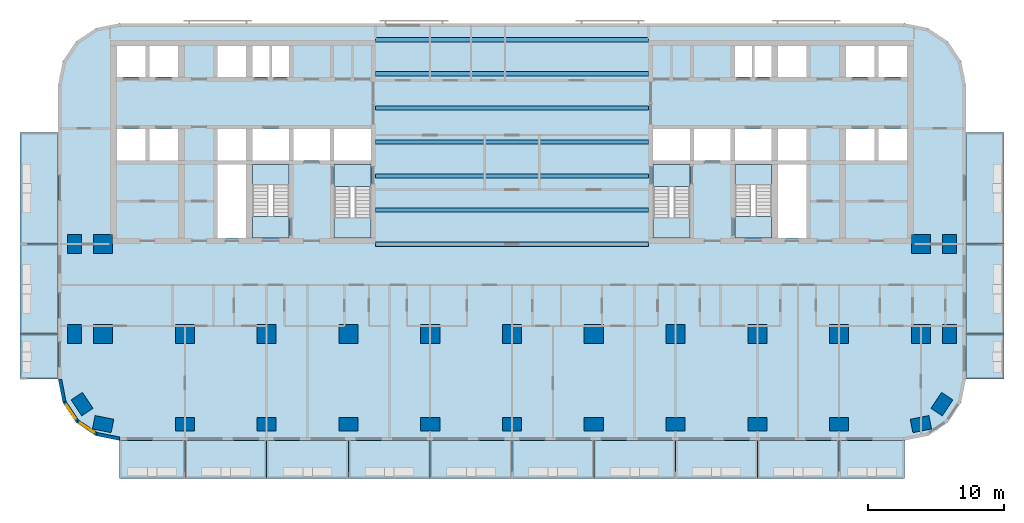
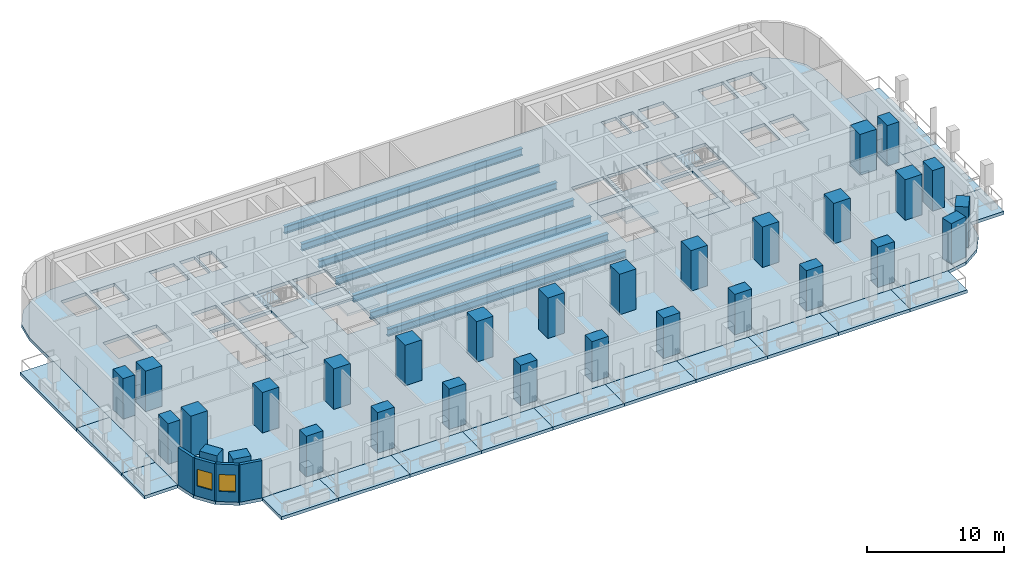
# One storey, part 1 of 15: 30 columns, 25 slabs, 7 beams, 4 walls, 2 windows, 2 openings, 4 elements without a shape of their own.
"""IFC4 building model written with IfcOpenShell, lengths in metres."""

from ifc_helpers import new_model, si_unit, direction, frame, frame_2d, origin, origin_2d, place, context, subcontext, project, spatial, polyline, rectangle, i_section, outline, extrude, material, layer, layer_set, material_profile, profile_set, type_object, element, fill, aggregate, save


model = new_model("IFC4")

# Units and contexts
model_context = context("Model", 3, precision=1e-05, world=origin(), true_north=direction((0.0, 1.0)))
body_context = subcontext(model_context, "Body", "Model", "MODEL_VIEW")
ifc_project = project(units=[si_unit("LENGTHUNIT", "METRE"), si_unit("AREAUNIT", "SQUARE_METRE"), si_unit("VOLUMEUNIT", "CUBIC_METRE"), si_unit("PLANEANGLEUNIT", "RADIAN"), si_unit("MASSUNIT", "GRAM", prefix="KILO")], contexts=[model_context])

# Site, building, storey
site_placement = place(None, origin())
site = spatial("IfcSite", under=ifc_project, at=site_placement, CompositionType="ELEMENT")
building_placement = place(site_placement, origin())
building = spatial("IfcBuilding", under=site, at=building_placement, Name="Torana Hotel and Residences", CompositionType="ELEMENT")
storey_placement = place(building_placement, frame((0.0, 0.0, 67.199951171875)))
storey = spatial("IfcBuildingStorey", under=building, at=storey_placement, Name="L16", CompositionType="ELEMENT", Elevation=67.199951171875)

# Columns
ifc_material_1 = material(Name="Concrete C70/85", Category="concrete")
ifc_material_profile_1 = material_profile(ifc_material_1, rectangle(XDim=1.39990234375, YDim=1.0, at=origin_2d()), Name="RC 1400x1000")
ifc_profile_set_1 = profile_set([ifc_material_profile_1], Name="Concrete C70/85")
column_type_1 = type_object("IfcColumnType", Name="COLUMN RC 1400x1000 C70/85", PredefinedType="COLUMN", material=ifc_profile_set_1)
for number, where, z_axis, x_axis, name in (
    (1, (-32.10009765625, -21.60009765625, 0.0), (0.0, 0.0, 1.0), (0.0, 1.0, 0.0), "Column L16"),
    (2, (-32.10009765625, -15.0, 0.0), (0.0, 0.0, 1.0), (0.0, 1.0, 0.0), "Column L16"),
    (3, (-31.5439453125, -26.73291015625, 0.0), (0.0, 0.0, 1.0), (-0.555584744817, 0.831459915646, 0.0), "Column L16"),
    (4, (-30.0, -28.199951171875, 0.0), (0.0, 0.0, 1.0), (-0.980792089743, 0.195056086032, 0.0), "Column L16"),
    (5, (-24.0, -28.199951171875, 0.0), (0.0, 0.0, 1.0), (1.0, 0.0, 0.0), "Column L16"),
    (6, (-18.0, -28.199951171875, 0.0), (0.0, 0.0, 1.0), (1.0, 0.0, 0.0), "Column L16"),
    (7, (-12.0, -28.199951171875, 0.0), (0.0, 0.0, 1.0), (1.0, 0.0, 0.0), "Column L16"),
    (8, (-6.0, -28.199951171875, 0.0), (0.0, 0.0, 1.0), (1.0, 0.0, 0.0), "Column L16"),
    (9, (0.0, -28.199951171875, 0.0), (0.0, 0.0, 1.0), (1.0, 0.0, 0.0), "Column L16"),
    (10, (6.0, -28.199951171875, 0.0), (0.0, 0.0, 1.0), (1.0, 0.0, 0.0), "Column L16"),
    (11, (12.0, -28.199951171875, 0.0), (0.0, 0.0, 1.0), (1.0, 0.0, 0.0), "Column L16"),
    (12, (18.0, -28.199951171875, 0.0), (0.0, 0.0, 1.0), (1.0, 0.0, 0.0), "Column L16"),
    (13, (24.0, -28.199951171875, 0.0), (0.0, 0.0, 1.0), (1.0, 0.0, 0.0), "Column L16"),
    (14, (30.0, -28.199951171875, 0.0), (0.0, 0.0, 1.0), (0.980792089743, 0.195056086032, 0.0), "Column L16"),
    (15, (31.5439453125, -26.73291015625, 0.0), (0.0, 0.0, 1.0), (0.555584744817, 0.831459915646, 0.0), "Column L16"),
    (16, (32.10009765625, -21.60009765625, 0.0), (0.0, 0.0, 1.0), (0.0, 1.0, 0.0), "Column L16"),
    (17, (32.10009765625, -15.0, 0.0), (0.0, 0.0, 1.0), (0.0, 1.0, 0.0), "Column L16"),
):
    element("IfcColumn", number, at=place(storey_placement, frame(where, z_axis=z_axis, x_axis=x_axis)), inside=storey, type_object=column_type_1, Name=name, PredefinedType="COLUMN", context=body_context, shape_type="SweptSolid", body=[
        extrude(rectangle(XDim=1.39990234375, YDim=1.0, at=origin_2d()), origin(), (0.0, 0.0, 1.0), 3.60009765625),
    ])
ifc_material_2 = material(Name="Concrete C70/85", Category="concrete")
ifc_material_profile_2 = material_profile(ifc_material_2, rectangle(XDim=1.39990234375, YDim=1.39990234375, at=origin_2d()), Name="RC 1400x1400")
ifc_profile_set_2 = profile_set([ifc_material_profile_2], Name="Concrete C70/85")
column_type_2 = type_object("IfcColumnType", Name="COLUMN RC 1400x1400 C70/85", PredefinedType="COLUMN", material=ifc_profile_set_2)
for number, where, z_axis, x_axis, name in (
    (18, (-30.0, -21.60009765625, 0.0), (0.0, 0.0, 1.0), (1.0, 0.0, 0.0), "Column L16"),
    (19, (-30.0, -15.0, 0.0), (0.0, 0.0, 1.0), (1.0, 0.0, 0.0), "Column L16"),
    (20, (-24.0, -21.60009765625, 0.0), (0.0, 0.0, 1.0), (1.0, 0.0, 0.0), "Column L16"),
    (21, (-18.0, -21.60009765625, 0.0), (0.0, 0.0, 1.0), (1.0, 0.0, 0.0), "Column L16"),
    (22, (-12.0, -21.60009765625, 0.0), (0.0, 0.0, 1.0), (1.0, 0.0, 0.0), "Column L16"),
    (23, (-6.0, -21.60009765625, 0.0), (0.0, 0.0, 1.0), (1.0, 0.0, 0.0), "Column L16"),
    (24, (0.0, -21.60009765625, 0.0), (0.0, 0.0, 1.0), (1.0, 0.0, 0.0), "Column L16"),
    (25, (6.0, -21.60009765625, 0.0), (0.0, 0.0, 1.0), (1.0, 0.0, 0.0), "Column L16"),
    (26, (12.0, -21.60009765625, 0.0), (0.0, 0.0, 1.0), (1.0, 0.0, 0.0), "Column L16"),
    (27, (18.0, -21.60009765625, 0.0), (0.0, 0.0, 1.0), (1.0, 0.0, 0.0), "Column L16"),
    (28, (24.0, -21.60009765625, 0.0), (0.0, 0.0, 1.0), (1.0, 0.0, 0.0), "Column L16"),
    (29, (30.0, -21.60009765625, 0.0), (0.0, 0.0, 1.0), (1.0, 0.0, 0.0), "Column L16"),
    (30, (30.0, -15.0, 0.0), (0.0, 0.0, 1.0), (1.0, 0.0, 0.0), "Column L16"),
):
    element("IfcColumn", number, at=place(storey_placement, frame(where, z_axis=z_axis, x_axis=x_axis)), inside=storey, type_object=column_type_2, Name=name, PredefinedType="COLUMN", context=body_context, shape_type="SweptSolid", body=[
        extrude(rectangle(XDim=1.39990234375, YDim=1.39990234375, at=origin_2d()), origin(), (0.0, 0.0, 1.0), 3.60009765625),
    ])

# Beams
ifc_material_3 = material(Name="Steel S355", Category="steel")
ifc_material_profile_3 = material_profile(ifc_material_3, i_section(OverallWidth=0.311279296875, OverallDepth=0.6357421875, WebThickness=0.018310546875, FlangeThickness=0.031494140625, FilletRadius=0.0166015625, at=origin_2d()), Name="610x305x238 UB")
ifc_profile_set_3 = profile_set([ifc_material_profile_3], Name="Steel S355")
beam_type = type_object("IfcBeamType", Name="STEEL GIRDER 610x305x238 UB", PredefinedType="BEAM", material=ifc_profile_set_3)
for number, where, z_axis, x_axis, name in (
    (31, (-10.0, -15.0, -0.597900390625), (1.0, 0.0, 0.0), (0.0, 1.0, 0.0), "Floor girder"),
    (32, (-10.0, -12.5, -0.597900390625), (1.0, 0.0, 0.0), (0.0, 1.0, 0.0), "Floor girder"),
    (33, (-10.0, -10.0, -0.597900390625), (1.0, 0.0, 0.0), (0.0, 1.0, 0.0), "Floor girder"),
    (34, (-10.0, -7.5, -0.597900390625), (1.0, 0.0, 0.0), (0.0, 1.0, 0.0), "Floor girder"),
    (35, (-10.0, -5.0, -0.597900390625), (1.0, 0.0, 0.0), (0.0, 1.0, 0.0), "Floor girder"),
    (36, (-10.0, -2.5, -0.597900390625), (1.0, 0.0, 0.0), (0.0, 1.0, 0.0), "Floor girder"),
    (37, (-10.0, 0.0, -0.597900390625), (1.0, 0.0, 0.0), (0.0, 1.0, 0.0), "Floor girder"),
):
    element("IfcBeam", number, at=place(storey_placement, frame(where, z_axis=z_axis, x_axis=x_axis)), inside=storey, type_object=beam_type, Name=name, PredefinedType="BEAM", context=body_context, shape_type="SweptSolid", body=[
        extrude(i_section(OverallWidth=0.311279296875, OverallDepth=0.6357421875, WebThickness=0.018310546875, FlangeThickness=0.031494140625, FilletRadius=0.0166015625, at=origin_2d()), origin(), (0.0, 0.0, 1.0), 20.0),
    ])

# Slabs
ifc_material_4 = material(Name="Concrete C40/50", Category="concrete")
ifc_layer_1 = layer(ifc_material_4, 0.280029296875)
ifc_layer_set_1 = layer_set([ifc_layer_1], Name="BAL1 BALCONY SLAB 280")
slab_type_1 = type_object("IfcSlabType", Name="BAL1 BALCONY SLAB 280", PredefinedType="USERDEFINED", material=ifc_layer_set_1)
slab_1_placement = place(storey_placement, frame((0.0, 0.0, -0.280029296875)))
element("IfcSlab", 38, at=slab_1_placement, inside=storey, type_object=slab_type_1, Name="Balcony 01", ObjectType="BALCONY", PredefinedType="USERDEFINED", context=body_context, shape_type="SweptSolid", body=[
    extrude(outline(polyline([(-28.800048828125, -32.199951171875), (-24.0, -32.199951171875), (-24.0, -29.39990234375), (-28.800048828125, -29.39990234375), (-28.800048828125, -32.199951171875)])), origin(), (0.0, 0.0, 1.0), 0.280029296875),
])
slab_2_placement = place(storey_placement, frame((0.0, 0.0, -0.280029296875)))
element("IfcSlab", 39, at=slab_2_placement, inside=storey, type_object=slab_type_1, Name="Balcony 02", ObjectType="BALCONY", PredefinedType="USERDEFINED", context=body_context, shape_type="SweptSolid", body=[
    extrude(outline(polyline([(-24.0, -32.199951171875), (-18.0, -32.199951171875), (-18.0, -29.39990234375), (-24.0, -29.39990234375), (-24.0, -32.199951171875)])), origin(), (0.0, 0.0, 1.0), 0.280029296875),
])
slab_3_placement = place(storey_placement, frame((0.0, 0.0, -0.280029296875)))
element("IfcSlab", 40, at=slab_3_placement, inside=storey, type_object=slab_type_1, Name="Balcony 03", ObjectType="BALCONY", PredefinedType="USERDEFINED", context=body_context, shape_type="SweptSolid", body=[
    extrude(outline(polyline([(-18.0, -32.199951171875), (-12.0, -32.199951171875), (-12.0, -29.39990234375), (-18.0, -29.39990234375), (-18.0, -32.199951171875)])), origin(), (0.0, 0.0, 1.0), 0.280029296875),
])
slab_4_placement = place(storey_placement, frame((0.0, 0.0, -0.280029296875)))
element("IfcSlab", 41, at=slab_4_placement, inside=storey, type_object=slab_type_1, Name="Balcony 04", ObjectType="BALCONY", PredefinedType="USERDEFINED", context=body_context, shape_type="SweptSolid", body=[
    extrude(outline(polyline([(-12.0, -32.199951171875), (-6.0, -32.199951171875), (-6.0, -29.39990234375), (-12.0, -29.39990234375), (-12.0, -32.199951171875)])), origin(), (0.0, 0.0, 1.0), 0.280029296875),
])
slab_5_placement = place(storey_placement, frame((0.0, 0.0, -0.280029296875)))
element("IfcSlab", 42, at=slab_5_placement, inside=storey, type_object=slab_type_1, Name="Balcony 05", ObjectType="BALCONY", PredefinedType="USERDEFINED", context=body_context, shape_type="SweptSolid", body=[
    extrude(outline(polyline([(-6.0, -32.199951171875), (0.0, -32.199951171875), (0.0, -29.39990234375), (-6.0, -29.39990234375), (-6.0, -32.199951171875)])), origin(), (0.0, 0.0, 1.0), 0.280029296875),
])
slab_6_placement = place(storey_placement, frame((0.0, 0.0, -0.280029296875)))
element("IfcSlab", 43, at=slab_6_placement, inside=storey, type_object=slab_type_1, Name="Balcony 06", ObjectType="BALCONY", PredefinedType="USERDEFINED", context=body_context, shape_type="SweptSolid", body=[
    extrude(outline(polyline([(0.0, -32.199951171875), (6.0, -32.199951171875), (6.0, -29.39990234375), (0.0, -29.39990234375), (0.0, -32.199951171875)])), origin(), (0.0, 0.0, 1.0), 0.280029296875),
])
slab_7_placement = place(storey_placement, frame((0.0, 0.0, -0.280029296875)))
element("IfcSlab", 44, at=slab_7_placement, inside=storey, type_object=slab_type_1, Name="Balcony 07", ObjectType="BALCONY", PredefinedType="USERDEFINED", context=body_context, shape_type="SweptSolid", body=[
    extrude(outline(polyline([(6.0, -32.199951171875), (12.0, -32.199951171875), (12.0, -29.39990234375), (6.0, -29.39990234375), (6.0, -32.199951171875)])), origin(), (0.0, 0.0, 1.0), 0.280029296875),
])
slab_8_placement = place(storey_placement, frame((0.0, 0.0, -0.280029296875)))
element("IfcSlab", 45, at=slab_8_placement, inside=storey, type_object=slab_type_1, Name="Balcony 08", ObjectType="BALCONY", PredefinedType="USERDEFINED", context=body_context, shape_type="SweptSolid", body=[
    extrude(outline(polyline([(12.0, -32.199951171875), (18.0, -32.199951171875), (18.0, -29.39990234375), (12.0, -29.39990234375), (12.0, -32.199951171875)])), origin(), (0.0, 0.0, 1.0), 0.280029296875),
])
slab_9_placement = place(storey_placement, frame((0.0, 0.0, -0.280029296875)))
element("IfcSlab", 46, at=slab_9_placement, inside=storey, type_object=slab_type_1, Name="Balcony 09", ObjectType="BALCONY", PredefinedType="USERDEFINED", context=body_context, shape_type="SweptSolid", body=[
    extrude(outline(polyline([(18.0, -32.199951171875), (24.0, -32.199951171875), (24.0, -29.39990234375), (18.0, -29.39990234375), (18.0, -32.199951171875)])), origin(), (0.0, 0.0, 1.0), 0.280029296875),
])
slab_10_placement = place(storey_placement, frame((0.0, 0.0, -0.280029296875)))
element("IfcSlab", 47, at=slab_10_placement, inside=storey, type_object=slab_type_1, Name="Balcony 10", ObjectType="BALCONY", PredefinedType="USERDEFINED", context=body_context, shape_type="SweptSolid", body=[
    extrude(outline(polyline([(24.0, -32.199951171875), (28.800048828125, -32.199951171875), (28.800048828125, -29.39990234375), (24.0, -29.39990234375), (24.0, -32.199951171875)])), origin(), (0.0, 0.0, 1.0), 0.280029296875),
])
slab_11_placement = place(storey_placement, frame((0.0, 0.0, -0.280029296875)))
element("IfcSlab", 48, at=slab_11_placement, inside=storey, type_object=slab_type_1, Name="Balcony 11", ObjectType="BALCONY", PredefinedType="USERDEFINED", context=body_context, shape_type="SweptSolid", body=[
    extrude(outline(polyline([(-36.10009765625, -24.89990234375), (-33.300048828125, -24.89990234375), (-33.300048828125, -21.60009765625), (-36.10009765625, -21.60009765625), (-36.10009765625, -24.89990234375)])), origin(), (0.0, 0.0, 1.0), 0.280029296875),
])
slab_12_placement = place(storey_placement, frame((0.0, 0.0, -0.280029296875)))
element("IfcSlab", 49, at=slab_12_placement, inside=storey, type_object=slab_type_1, Name="Balcony 12", ObjectType="BALCONY", PredefinedType="USERDEFINED", context=body_context, shape_type="SweptSolid", body=[
    extrude(outline(polyline([(-36.10009765625, -21.60009765625), (-33.300048828125, -21.60009765625), (-33.300048828125, -15.0), (-36.10009765625, -15.0), (-36.10009765625, -21.60009765625)])), origin(), (0.0, 0.0, 1.0), 0.280029296875),
])
slab_13_placement = place(storey_placement, frame((0.0, 0.0, -0.280029296875)))
element("IfcSlab", 50, at=slab_13_placement, inside=storey, type_object=slab_type_1, Name="Balcony 13", ObjectType="BALCONY", PredefinedType="USERDEFINED", context=body_context, shape_type="SweptSolid", body=[
    extrude(outline(polyline([(-36.10009765625, -15.0), (-33.300048828125, -15.0), (-33.300048828125, -6.800048828125), (-36.10009765625, -6.800048828125), (-36.10009765625, -15.0)])), origin(), (0.0, 0.0, 1.0), 0.280029296875),
])
slab_14_placement = place(storey_placement, frame((0.0, 0.0, -0.280029296875)))
element("IfcSlab", 51, at=slab_14_placement, inside=storey, type_object=slab_type_1, Name="Balcony 14", ObjectType="BALCONY", PredefinedType="USERDEFINED", context=body_context, shape_type="SweptSolid", body=[
    extrude(outline(polyline([(33.300048828125, -24.89990234375), (36.10009765625, -24.89990234375), (36.10009765625, -21.60009765625), (33.300048828125, -21.60009765625), (33.300048828125, -24.89990234375)])), origin(), (0.0, 0.0, 1.0), 0.280029296875),
])
slab_15_placement = place(storey_placement, frame((0.0, 0.0, -0.280029296875)))
element("IfcSlab", 52, at=slab_15_placement, inside=storey, type_object=slab_type_1, Name="Balcony 15", ObjectType="BALCONY", PredefinedType="USERDEFINED", context=body_context, shape_type="SweptSolid", body=[
    extrude(outline(polyline([(33.300048828125, -21.60009765625), (36.10009765625, -21.60009765625), (36.10009765625, -15.0), (33.300048828125, -15.0), (33.300048828125, -21.60009765625)])), origin(), (0.0, 0.0, 1.0), 0.280029296875),
])
slab_16_placement = place(storey_placement, frame((0.0, 0.0, -0.280029296875)))
element("IfcSlab", 53, at=slab_16_placement, inside=storey, type_object=slab_type_1, Name="Balcony 16", ObjectType="BALCONY", PredefinedType="USERDEFINED", context=body_context, shape_type="SweptSolid", body=[
    extrude(outline(polyline([(33.300048828125, -15.0), (36.10009765625, -15.0), (36.10009765625, -6.800048828125), (33.300048828125, -6.800048828125), (33.300048828125, -15.0)])), origin(), (0.0, 0.0, 1.0), 0.280029296875),
])
ifc_material_5 = material(Name="Concrete C40/50", Category="concrete")
ifc_layer_2 = layer(ifc_material_5, 0.280029296875)
ifc_layer_set_2 = layer_set([ifc_layer_2], Name="FLOOR SLAB PT 280")
slab_type_2 = type_object("IfcSlabType", Name="FLOOR SLAB PT 280", PredefinedType="FLOOR", material=ifc_layer_set_2)
slab_17_placement = place(storey_placement, frame((0.0, 0.0, -0.280029296875)))
element("IfcSlab", 54, at=slab_17_placement, inside=storey, type_object=slab_type_2, Name="Floor slab", PredefinedType="FLOOR", context=body_context, shape_type="SweptSolid", body=[
    extrude(outline(polyline([(33.300048828125, -3.300048828125), (32.95751953125, -1.577880859375), (31.98193359375, -0.117919921875), (30.522216796875, 0.857421875), (28.800048828125, 1.199951171875), (-28.800048828125, 1.199951171875), (-30.522216796875, 0.857421875), (-31.98193359375, -0.117919921875), (-32.95751953125, -1.577880859375), (-33.300048828125, -3.300048828125), (-33.300048828125, -24.89990234375), (-32.95751953125, -26.6220703125), (-31.98193359375, -28.08203125), (-30.522216796875, -29.0576171875), (-28.800048828125, -29.39990234375), (28.800048828125, -29.39990234375), (30.522216796875, -29.0576171875), (31.98193359375, -28.08203125), (32.95751953125, -26.6220703125), (33.300048828125, -24.89990234375), (33.300048828125, -3.300048828125)]), holes=[polyline([(-13.050048828125, -14.550048828125), (-10.35009765625, -14.550048828125), (-10.35009765625, -9.14990234375), (-13.050048828125, -9.14990234375), (-13.050048828125, -14.550048828125)]), polyline([(-19.050048828125, -14.550048828125), (-16.35009765625, -14.550048828125), (-16.35009765625, -9.14990234375), (-19.050048828125, -9.14990234375), (-19.050048828125, -14.550048828125)]), polyline([(-17.625, -2.75), (-16.35009765625, -2.75), (-16.35009765625, -0.449951171875), (-17.625, -0.449951171875), (-17.625, -2.75)]), polyline([(-19.050048828125, -2.75), (-17.77490234375, -2.75), (-17.77490234375, -0.449951171875), (-19.050048828125, -0.449951171875), (-19.050048828125, -2.75)]), polyline([(-26.60009765625, -2.75), (-24.5, -2.75), (-24.5, -0.449951171875), (-26.60009765625, -0.449951171875), (-26.60009765625, -2.75)]), polyline([(-29.0, -2.75), (-26.89990234375, -2.75), (-26.89990234375, -0.449951171875), (-29.0, -0.449951171875), (-29.0, -2.75)]), polyline([(-26.60009765625, -8.85009765625), (-24.5, -8.85009765625), (-24.5, -6.550048828125), (-26.60009765625, -6.550048828125), (-26.60009765625, -8.85009765625)]), polyline([(-29.0, -8.85009765625), (-26.89990234375, -8.85009765625), (-26.89990234375, -6.550048828125), (-29.0, -6.550048828125), (-29.0, -8.85009765625)]), polyline([(-21.60009765625, -2.75), (-19.5, -2.75), (-19.5, -0.449951171875), (-21.60009765625, -0.449951171875), (-21.60009765625, -2.75)]), polyline([(-21.60009765625, -8.85009765625), (-19.5, -8.85009765625), (-19.5, -6.550048828125), (-21.60009765625, -6.550048828125), (-21.60009765625, -8.85009765625)]), polyline([(-13.050048828125, -8.85009765625), (-10.35009765625, -8.85009765625), (-10.35009765625, -6.550048828125), (-13.050048828125, -6.550048828125), (-13.050048828125, -8.85009765625)]), polyline([(-16.050048828125, -8.85009765625), (-13.35009765625, -8.85009765625), (-13.35009765625, -6.550048828125), (-16.050048828125, -6.550048828125), (-16.050048828125, -8.85009765625)]), polyline([(-19.050048828125, -8.85009765625), (-16.35009765625, -8.85009765625), (-16.35009765625, -6.550048828125), (-19.050048828125, -6.550048828125), (-19.050048828125, -8.85009765625)]), polyline([(-21.60009765625, -14.550048828125), (-19.5, -14.550048828125), (-19.5, -9.14990234375), (-21.60009765625, -9.14990234375), (-21.60009765625, -14.550048828125)]), polyline([(10.35009765625, -14.550048828125), (13.050048828125, -14.550048828125), (13.050048828125, -9.14990234375), (10.35009765625, -9.14990234375), (10.35009765625, -14.550048828125)]), polyline([(16.35009765625, -14.550048828125), (19.050048828125, -14.550048828125), (19.050048828125, -9.14990234375), (16.35009765625, -9.14990234375), (16.35009765625, -14.550048828125)]), polyline([(16.35009765625, -2.75), (17.625, -2.75), (17.625, -0.449951171875), (16.35009765625, -0.449951171875), (16.35009765625, -2.75)]), polyline([(17.77490234375, -2.75), (19.050048828125, -2.75), (19.050048828125, -0.449951171875), (17.77490234375, -0.449951171875), (17.77490234375, -2.75)]), polyline([(24.5, -2.75), (26.60009765625, -2.75), (26.60009765625, -0.449951171875), (24.5, -0.449951171875), (24.5, -2.75)]), polyline([(26.89990234375, -2.75), (29.0, -2.75), (29.0, -0.449951171875), (26.89990234375, -0.449951171875), (26.89990234375, -2.75)]), polyline([(24.5, -8.85009765625), (26.60009765625, -8.85009765625), (26.60009765625, -6.550048828125), (24.5, -6.550048828125), (24.5, -8.85009765625)]), polyline([(26.89990234375, -8.85009765625), (29.0, -8.85009765625), (29.0, -6.550048828125), (26.89990234375, -6.550048828125), (26.89990234375, -8.85009765625)]), polyline([(19.5, -2.75), (21.60009765625, -2.75), (21.60009765625, -0.449951171875), (19.5, -0.449951171875), (19.5, -2.75)]), polyline([(19.5, -8.85009765625), (21.60009765625, -8.85009765625), (21.60009765625, -6.550048828125), (19.5, -6.550048828125), (19.5, -8.85009765625)]), polyline([(10.35009765625, -8.85009765625), (13.050048828125, -8.85009765625), (13.050048828125, -6.550048828125), (10.35009765625, -6.550048828125), (10.35009765625, -8.85009765625)]), polyline([(13.35009765625, -8.85009765625), (16.050048828125, -8.85009765625), (16.050048828125, -6.550048828125), (13.35009765625, -6.550048828125), (13.35009765625, -8.85009765625)]), polyline([(16.35009765625, -8.85009765625), (19.050048828125, -8.85009765625), (19.050048828125, -6.550048828125), (16.35009765625, -6.550048828125), (16.35009765625, -8.85009765625)]), polyline([(19.5, -14.550048828125), (21.60009765625, -14.550048828125), (21.60009765625, -9.14990234375), (19.5, -9.14990234375), (19.5, -14.550048828125)])]), origin(), (0.0, 0.0, 1.0), 0.280029296875),
])

# Stair, slabs
ifc_material_6 = material(Name="Concrete C40/50 precast", Category="concrete")
stair_type_1 = type_object("IfcStairType", Name="STAIR ST1 HALF TURN 1200", PredefinedType="HALF_TURN_STAIR", material=ifc_material_6)
stair_1_placement = place(storey_placement, origin())
stair_1 = element("IfcStair", 55, at=stair_1_placement, inside=storey, type_object=stair_type_1, Name="Stair ST1 L16", PredefinedType="HALF_TURN_STAIR")
ifc_material_7 = material(Name="Concrete C40/50 precast", Category="concrete")
ifc_layer_3 = layer(ifc_material_7, 0.199951171875)
ifc_layer_set_3 = layer_set([ifc_layer_3], Name="STAIR LANDING 200")
slab_type_3 = type_object("IfcSlabType", Name="STAIR LANDING 200", PredefinedType="LANDING", material=ifc_layer_set_3)
slab_18_placement = place(storey_placement, frame((0.0, 0.0, 1.60009765625)))
slab_18 = element("IfcSlab", 56, at=slab_18_placement, type_object=slab_type_3, Name="ST1 landing 1", PredefinedType="LANDING", context=body_context, shape_type="SweptSolid", body=[
    extrude(outline(polyline([(-13.050048828125, -14.550048828125), (-10.35009765625, -14.550048828125), (-10.35009765625, -13.090087890625), (-13.050048828125, -13.090087890625), (-13.050048828125, -14.550048828125)])), origin(), (0.0, 0.0, 1.0), 0.199951171875),
])
slab_19_placement = place(storey_placement, frame((0.0, 0.0, -0.199951171875)))
slab_19 = element("IfcSlab", 57, at=slab_19_placement, type_object=slab_type_3, Name="ST1 landing 2", PredefinedType="LANDING", context=body_context, shape_type="SweptSolid", body=[
    extrude(outline(polyline([(-13.050048828125, -10.75), (-10.35009765625, -10.75), (-10.35009765625, -9.14990234375), (-13.050048828125, -9.14990234375), (-13.050048828125, -10.75)])), origin(), (0.0, 0.0, 1.0), 0.199951171875),
])
aggregate(stair_1, [slab_18, slab_19])

ifc_material_8 = material(Name="Concrete C40/50 precast", Category="concrete")
stair_type_2 = type_object("IfcStairType", Name="STAIR ST2 HALF TURN 1200", PredefinedType="HALF_TURN_STAIR", material=ifc_material_8)
stair_2_placement = place(storey_placement, origin())
stair_2 = element("IfcStair", 58, at=stair_2_placement, inside=storey, type_object=stair_type_2, Name="Stair ST2 L16", PredefinedType="HALF_TURN_STAIR")
slab_20_placement = place(storey_placement, frame((0.0, 0.0, 1.60009765625)))
slab_20 = element("IfcSlab", 59, at=slab_20_placement, type_object=slab_type_3, Name="ST2 landing 1", PredefinedType="LANDING", context=body_context, shape_type="SweptSolid", body=[
    extrude(outline(polyline([(-19.050048828125, -10.610107421875), (-16.35009765625, -10.610107421875), (-16.35009765625, -9.14990234375), (-19.050048828125, -9.14990234375), (-19.050048828125, -10.610107421875)])), origin(), (0.0, 0.0, 1.0), 0.199951171875),
])
slab_21_placement = place(storey_placement, frame((0.0, 0.0, -0.199951171875)))
slab_21 = element("IfcSlab", 60, at=slab_21_placement, type_object=slab_type_3, Name="ST2 landing 2", PredefinedType="LANDING", context=body_context, shape_type="SweptSolid", body=[
    extrude(outline(polyline([(-19.050048828125, -14.550048828125), (-16.35009765625, -14.550048828125), (-16.35009765625, -12.949951171875), (-19.050048828125, -12.949951171875), (-19.050048828125, -14.550048828125)])), origin(), (0.0, 0.0, 1.0), 0.199951171875),
])
aggregate(stair_2, [slab_20, slab_21])

ifc_material_9 = material(Name="Concrete C40/50 precast", Category="concrete")
stair_type_3 = type_object("IfcStairType", Name="STAIR ST3 HALF TURN 1200", PredefinedType="HALF_TURN_STAIR", material=ifc_material_9)
stair_3_placement = place(storey_placement, origin())
stair_3 = element("IfcStair", 61, at=stair_3_placement, inside=storey, type_object=stair_type_3, Name="Stair ST3 L16", PredefinedType="HALF_TURN_STAIR")
slab_22_placement = place(storey_placement, frame((0.0, 0.0, 1.60009765625)))
slab_22 = element("IfcSlab", 62, at=slab_22_placement, type_object=slab_type_3, Name="ST3 landing 1", PredefinedType="LANDING", context=body_context, shape_type="SweptSolid", body=[
    extrude(outline(polyline([(10.35009765625, -14.550048828125), (13.050048828125, -14.550048828125), (13.050048828125, -13.090087890625), (10.35009765625, -13.090087890625), (10.35009765625, -14.550048828125)])), origin(), (0.0, 0.0, 1.0), 0.199951171875),
])
slab_23_placement = place(storey_placement, frame((0.0, 0.0, -0.199951171875)))
slab_23 = element("IfcSlab", 63, at=slab_23_placement, type_object=slab_type_3, Name="ST3 landing 2", PredefinedType="LANDING", context=body_context, shape_type="SweptSolid", body=[
    extrude(outline(polyline([(10.35009765625, -10.75), (13.050048828125, -10.75), (13.050048828125, -9.14990234375), (10.35009765625, -9.14990234375), (10.35009765625, -10.75)])), origin(), (0.0, 0.0, 1.0), 0.199951171875),
])
aggregate(stair_3, [slab_22, slab_23])

ifc_material_10 = material(Name="Concrete C40/50 precast", Category="concrete")
stair_type_4 = type_object("IfcStairType", Name="STAIR ST4 HALF TURN 1200", PredefinedType="HALF_TURN_STAIR", material=ifc_material_10)
stair_4_placement = place(storey_placement, origin())
stair_4 = element("IfcStair", 64, at=stair_4_placement, inside=storey, type_object=stair_type_4, Name="Stair ST4 L16", PredefinedType="HALF_TURN_STAIR")
slab_24_placement = place(storey_placement, frame((0.0, 0.0, 1.60009765625)))
slab_24 = element("IfcSlab", 65, at=slab_24_placement, type_object=slab_type_3, Name="ST4 landing 1", PredefinedType="LANDING", context=body_context, shape_type="SweptSolid", body=[
    extrude(outline(polyline([(16.35009765625, -10.610107421875), (19.050048828125, -10.610107421875), (19.050048828125, -9.14990234375), (16.35009765625, -9.14990234375), (16.35009765625, -10.610107421875)])), origin(), (0.0, 0.0, 1.0), 0.199951171875),
])
slab_25_placement = place(storey_placement, frame((0.0, 0.0, -0.199951171875)))
slab_25 = element("IfcSlab", 66, at=slab_25_placement, type_object=slab_type_3, Name="ST4 landing 2", PredefinedType="LANDING", context=body_context, shape_type="SweptSolid", body=[
    extrude(outline(polyline([(16.35009765625, -14.550048828125), (19.050048828125, -14.550048828125), (19.050048828125, -12.949951171875), (16.35009765625, -12.949951171875), (16.35009765625, -14.550048828125)])), origin(), (0.0, 0.0, 1.0), 0.199951171875),
])
aggregate(stair_4, [slab_24, slab_25])

# Wall
ifc_material_11 = material(Name="Black aluminium composite panel", Category="aluminium")
ifc_layer_4 = layer(ifc_material_11, 0.00390625, Name="Cladding", Category="cladding")
ifc_material_12 = material(Name="Ventilated air cavity")
ifc_layer_5 = layer(ifc_material_12, 0.0400390625, Name="Ventilated cavity", Category="cavity")
ifc_material_13 = material(Name="Mineral wool insulation")
ifc_layer_6 = layer(ifc_material_13, 0.090087890625, Name="Insulation", Category="insulation")
ifc_material_14 = material(Name="Steel S280GD", Category="steel")
ifc_layer_7 = layer(ifc_material_14, 0.092041015625, Name="Steel stud frame", Category="structure")
ifc_material_15 = material(Name="Fire rated plasterboard")
ifc_layer_8 = layer(ifc_material_15, 0.011962890625, Name="Inner board", Category="finish")
ifc_layer_9 = layer(ifc_material_15, 0.011962890625, Name="Second board", Category="finish")
ifc_layer_set_4 = layer_set([ifc_layer_4, ifc_layer_5, ifc_layer_6, ifc_layer_7, ifc_layer_8, ifc_layer_9], Name="EW1 EXTERNAL WALL BLACK METAL CLAD 250")
wall_type = type_object("IfcWallType", Name="EW1 EXTERNAL WALL BLACK METAL CLAD 250", PredefinedType="SOLIDWALL", material=ifc_layer_set_4)
wall_1_placement = place(storey_placement, frame((-33.172607421875, -24.89990234375, 0.0), z_axis=(0.0, 0.0, 1.0), x_axis=(0.195166572128, -0.980770110232, 0.0)))
element("IfcWall", 67, at=wall_1_placement, inside=storey, type_object=wall_type, Name="External wall L16 e0.10", PredefinedType="SOLIDWALL", context=body_context, shape_type="SweptSolid", body=[
    extrude(rectangle(XDim=1.68115234375, YDim=0.25, at=frame_2d((0.840576171875, 0.0))), origin(), (0.0, 0.0, 1.0), 3.320068359375),
])

# Wall, opening, window
wall_2_placement = place(storey_placement, frame((-32.825927734375, -26.593994140625, 0.0), z_axis=(0.0, 0.0, 1.0), x_axis=(0.55555029066, -0.831482937015, 0.0)))
wall_2 = element("IfcWall", 68, at=wall_2_placement, inside=storey, type_object=wall_type, Name="External wall L16 e0.11", PredefinedType="SOLIDWALL", context=body_context, shape_type="SweptSolid", body=[
    extrude(rectangle(XDim=1.65625, YDim=0.25, at=frame_2d((0.828125, 0.0))), origin(), (0.0, 0.0, 1.0), 3.320068359375),
])
opening_1_placement = place(wall_2_placement, frame((0.228271484375, 0.0, 0.89990234375)))
opening_1 = element("IfcOpeningElement", 69, at=opening_1_placement, cuts=wall_2, Name="Opening W5", PredefinedType="OPENING", context=body_context, shape_type="SweptSolid", body=[
    extrude(rectangle(XDim=1.199951171875, YDim=1.5, at=frame_2d((0.60009765625, 0.75))), frame((0.0, 0.135009765625, 0.0), z_axis=(0.0, -1.0, 0.0), x_axis=(1.0, 0.0, 0.0)), (0.0, 0.0, 1.0), 0.27001953125),
])
ifc_material_16 = material(Name="Dark glass in black aluminium frame", Category="aluminium")
window_type = type_object("IfcWindowType", Name="W5 CORNER FACET WINDOW 1200x1500", PartitioningType="SINGLE_PANEL", PredefinedType="WINDOW", material=ifc_material_16)
window_1_placement = place(opening_1_placement, origin())
window_1 = element("IfcWindow", 70, at=window_1_placement, inside=storey, type_object=window_type, Name="Window L16 e0.11", OverallHeight=1.5, OverallWidth=1.199951171875, PartitioningType="SINGLE_PANEL", PredefinedType="WINDOW", context=body_context, shape_type="SweptSolid", body=[
    extrude(rectangle(XDim=1.199951171875, YDim=1.5, at=frame_2d((0.60009765625, 0.75))), frame((0.0, 0.030029296875, 0.0), z_axis=(0.0, -1.0, 0.0), x_axis=(1.0, 0.0, 0.0)), (0.0, 0.0, 1.0), 0.06005859375),
])
fill(opening_1, window_1)

wall_3_placement = place(storey_placement, frame((-31.87109375, -28.005615234375, 0.0), z_axis=(0.0, 0.0, 1.0), x_axis=(0.831482937015, -0.55555029066, 0.0)))
wall_3 = element("IfcWall", 71, at=wall_3_placement, inside=storey, type_object=wall_type, Name="External wall L16 e0.12", PredefinedType="SOLIDWALL", context=body_context, shape_type="SweptSolid", body=[
    extrude(rectangle(XDim=1.65625, YDim=0.25, at=frame_2d((0.828125, 0.0))), origin(), (0.0, 0.0, 1.0), 3.320068359375),
])
opening_2_placement = place(wall_3_placement, frame((0.228271484375, 0.0, 0.89990234375)))
opening_2 = element("IfcOpeningElement", 72, at=opening_2_placement, cuts=wall_3, Name="Opening W5", PredefinedType="OPENING", context=body_context, shape_type="SweptSolid", body=[
    extrude(rectangle(XDim=1.199951171875, YDim=1.5, at=frame_2d((0.60009765625, 0.75))), frame((0.0, 0.135009765625, 0.0), z_axis=(0.0, -1.0, 0.0), x_axis=(1.0, 0.0, 0.0)), (0.0, 0.0, 1.0), 0.27001953125),
])
window_2_placement = place(opening_2_placement, origin())
window_2 = element("IfcWindow", 73, at=window_2_placement, inside=storey, type_object=window_type, Name="Window L16 e0.12", OverallHeight=1.5, OverallWidth=1.199951171875, PartitioningType="SINGLE_PANEL", PredefinedType="WINDOW", context=body_context, shape_type="SweptSolid", body=[
    extrude(rectangle(XDim=1.199951171875, YDim=1.5, at=frame_2d((0.60009765625, 0.75))), frame((0.0, 0.030029296875, 0.0), z_axis=(0.0, -1.0, 0.0), x_axis=(1.0, 0.0, 0.0)), (0.0, 0.0, 1.0), 0.06005859375),
])
fill(opening_2, window_2)

# Wall
wall_4_placement = place(storey_placement, frame((-30.448974609375, -28.944580078125, 0.0), z_axis=(0.0, 0.0, 1.0), x_axis=(0.980775640221, -0.19513878023, 0.0)))
element("IfcWall", 74, at=wall_4_placement, inside=storey, type_object=wall_type, Name="External wall L16 e0.13", PredefinedType="SOLIDWALL", context=body_context, shape_type="SweptSolid", body=[
    extrude(rectangle(XDim=1.681396484375, YDim=0.25, at=frame_2d((0.8408203125, 0.0))), origin(), (0.0, 0.0, 1.0), 3.320068359375),
])

save(model, "model.ifc")
